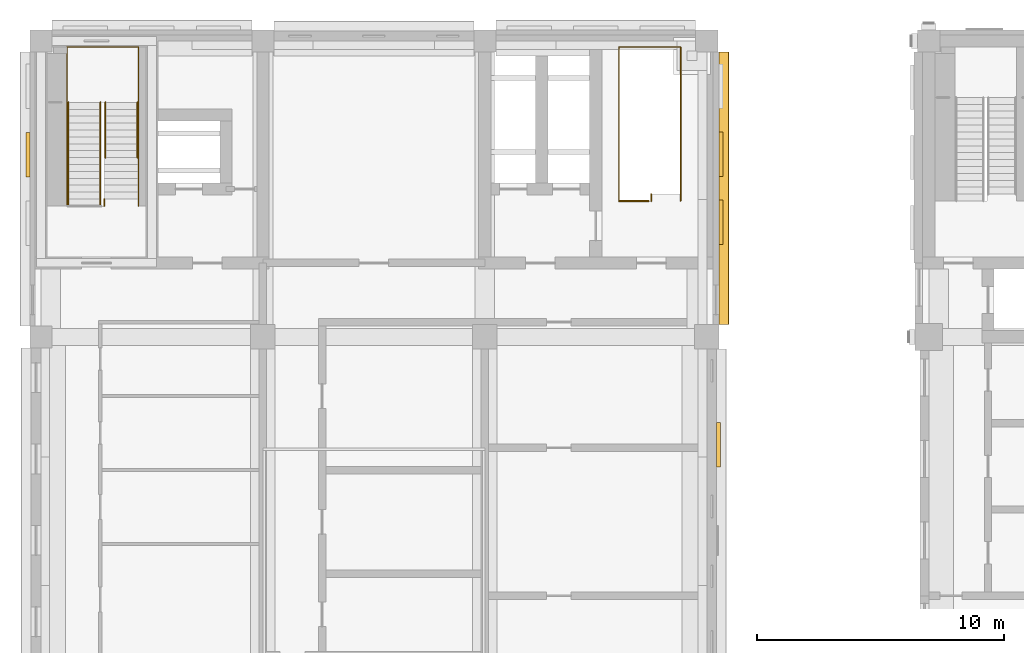
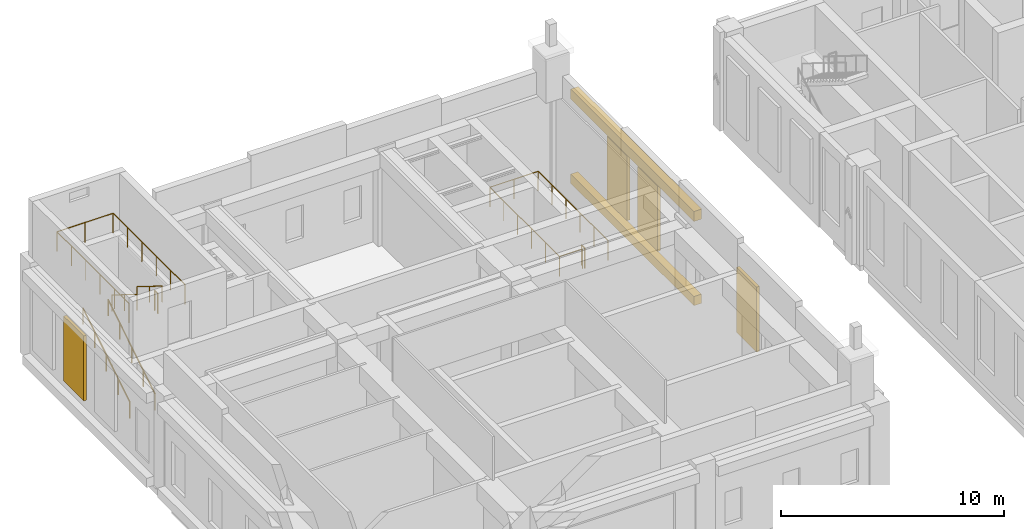
# One storey, part 30 of 37: 9 railings, 6 coverings.
"""IFC4 building model written with IfcOpenShell, lengths in metres."""

from ifc_helpers import new_model, si_unit, direction, frame, origin, origin_2d, place, context, subcontext, project, spatial, rectangle, circle, extrude, material, layer, layer_set, type_object, element, save


model = new_model("IFC4")

# Units and contexts
model_context = context("Model", 3, precision=1e-05, world=origin(), true_north=direction((0.0, 1.0)))
body_context = subcontext(model_context, "Body", "Model", "MODEL_VIEW")
ifc_project = project(units=[si_unit("LENGTHUNIT", "METRE"), si_unit("AREAUNIT", "SQUARE_METRE"), si_unit("VOLUMEUNIT", "CUBIC_METRE"), si_unit("PLANEANGLEUNIT", "RADIAN"), si_unit("MASSUNIT", "GRAM", prefix="KILO")], contexts=[model_context])

# Site, building, storey
site_placement = place(None, origin())
site = spatial("IfcSite", under=ifc_project, at=site_placement, CompositionType="ELEMENT")
building_placement = place(site_placement, origin())
building = spatial("IfcBuilding", under=site, at=building_placement, Name="Aurelan Courthouse", CompositionType="ELEMENT")
storey_placement = place(building_placement, frame((0.0, 0.0, 17.39990234375)))
storey = spatial("IfcBuildingStorey", under=building, at=storey_placement, Name="L03", CompositionType="ELEMENT", Elevation=17.39990234375)

# Coverings
ifc_material_1 = material(Name="Limestone cladding", Category="masonry")
covering_type_1 = type_object("IfcCoveringType", Name="Custody Suite cornice 550 x 400", PredefinedType="CLADDING", material=ifc_material_1)
covering_1_placement = place(storey_placement, frame((27.699951171875, 60.02490234375, 4.60009765625), z_axis=(0.0, 0.0, 1.0), x_axis=(1.0, 0.0, 0.0)))
element("IfcCovering", 1, at=covering_1_placement, inside=storey, type_object=covering_type_1, Name="Cornice CRN-V6-007", PredefinedType="CLADDING", context=body_context, shape_type="SweptSolid", body=[
    extrude(rectangle(XDim=0.39990234375, YDim=11.050048828125, at=origin_2d()), origin(), (0.0, 0.0, 1.0), 0.550048828125),
])
covering_type_2 = type_object("IfcCoveringType", Name="Custody Suite string course 500 x 380", PredefinedType="CLADDING", material=ifc_material_1)
covering_2_placement = place(storey_placement, frame((27.68994140625, 60.02490234375, 0.0), z_axis=(0.0, 0.0, 1.0), x_axis=(1.0, 0.0, 0.0)))
element("IfcCovering", 2, at=covering_2_placement, inside=storey, type_object=covering_type_2, Name="String course SC-V6-017", PredefinedType="CLADDING", context=body_context, shape_type="SweptSolid", body=[
    extrude(rectangle(XDim=0.3798828125, YDim=11.050048828125, at=origin_2d()), origin(), (0.0, 0.0, 1.0), 0.5),
])
ifc_material_2 = material(Name="Bronze sheet cladding")
ifc_layer = layer(ifc_material_2, 0.14990234375)
ifc_layer_set = layer_set([ifc_layer], Name="Bronze sheet cladding")
covering_type_3 = type_object("IfcCoveringType", Name="Relief panel 1800 x 3550 x 150", PredefinedType="CLADDING", material=ifc_layer_set)
for number, where, z_axis, x_axis, name in (
    (3, (27.47509765625, 49.625, 1.0), (0.0, 0.0, 1.0), (1.0, 0.0, 0.0), "Relief panel RP-V6-013"),
    (4, (-0.52490234375, 61.387451171875, 1.0), (0.0, 0.0, 1.0), (1.0, 0.0, 0.0), "Relief panel RP-V6-015"),
    (5, (27.574951171875, 58.643798828125, 1.0), (0.0, 0.0, 1.0), (1.0, 0.0, 0.0), "Relief panel RP-V6-017"),
    (6, (27.574951171875, 61.40625, 1.0), (0.0, 0.0, 1.0), (1.0, 0.0, 0.0), "Relief panel RP-V6-018"),
):
    element("IfcCovering", number, at=place(storey_placement, frame(where, z_axis=z_axis, x_axis=x_axis)), inside=storey, type_object=covering_type_3, Name=name, PredefinedType="CLADDING", context=body_context, shape_type="SweptSolid", body=[
        extrude(rectangle(XDim=0.14990234375, YDim=1.800048828125, at=origin_2d()), origin(), (0.0, 0.0, 1.0), 3.550048828125),
    ])

# Railings
ifc_material_3 = material(Name="Steel S355", Category="steel")
railing_type_1 = type_object("IfcRailingType", Name="Stair guard 1100", PredefinedType="GUARDRAIL", material=ifc_material_3)
railing_1_placement = place(storey_placement, frame((24.639892578125, 59.510009765625, 0.0)))
element("IfcRailing", 7, at=railing_1_placement, inside=storey, type_object=railing_type_1, Name="Guard CS-6-L03-G1", PredefinedType="GUARDRAIL", context=body_context, shape_type="SweptSolid", body=[
    extrude(circle(Radius=0.02392578125, at=origin_2d()), frame((0.0, 0.0, 1.076171875), z_axis=(-1.0, 0.0, 0.0), x_axis=(0.0, -1.0, 0.0)), (0.0, 0.0, 1.0), 1.199951171875),
    extrude(circle(Radius=0.02099609375, at=origin_2d()), origin(), (0.0, 0.0, 1.0), 1.052001953125),
    extrude(circle(Radius=0.02099609375, at=origin_2d()), frame((-1.199951171875, 0.0, 0.0)), (0.0, 0.0, 1.0), 1.052001953125),
])
railing_2_placement = place(storey_placement, frame((23.43994140625, 59.510009765625, 0.0)))
element("IfcRailing", 8, at=railing_2_placement, inside=storey, type_object=railing_type_1, Name="Guard CS-6-L03-G2", PredefinedType="GUARDRAIL", context=body_context, shape_type="SweptSolid", body=[
    extrude(circle(Radius=0.02392578125, at=origin_2d()), frame((0.0, 0.0, 1.076171875), z_axis=(0.0, 1.0, 0.0), x_axis=(-1.0, 0.0, 0.0)), (0.0, 0.0, 1.0), 6.239990234375),
    extrude(circle(Radius=0.02392578125, at=origin_2d()), frame((0.0, 6.239990234375, 1.076171875), z_axis=(1.0, 0.0, 0.0), x_axis=(0.0, 1.0, 0.0)), (0.0, 0.0, 1.0), 2.5),
    extrude(circle(Radius=0.02392578125, at=origin_2d()), frame((2.5, 6.239990234375, 1.076171875), z_axis=(0.0, -1.0, 0.0), x_axis=(1.0, 0.0, 0.0)), (0.0, 0.0, 1.0), 6.239990234375),
    extrude(circle(Radius=0.02099609375, at=origin_2d()), origin(), (0.0, 0.0, 1.0), 1.052001953125),
    extrude(circle(Radius=0.02099609375, at=origin_2d()), frame((0.0, 1.248046875, 0.0)), (0.0, 0.0, 1.0), 1.052001953125),
    extrude(circle(Radius=0.02099609375, at=origin_2d()), frame((0.0, 2.49609375, 0.0)), (0.0, 0.0, 1.0), 1.052001953125),
    extrude(circle(Radius=0.02099609375, at=origin_2d()), frame((0.0, 3.743896484375, 0.0)), (0.0, 0.0, 1.0), 1.052001953125),
    extrude(circle(Radius=0.02099609375, at=origin_2d()), frame((0.0, 4.991943359375, 0.0)), (0.0, 0.0, 1.0), 1.052001953125),
    extrude(circle(Radius=0.02099609375, at=origin_2d()), frame((0.0, 6.239990234375, 0.0)), (0.0, 0.0, 1.0), 1.052001953125),
    extrude(circle(Radius=0.02099609375, at=origin_2d()), frame((1.25, 6.239990234375, 0.0)), (0.0, 0.0, 1.0), 1.052001953125),
    extrude(circle(Radius=0.02099609375, at=origin_2d()), frame((2.5, 6.239990234375, 0.0)), (0.0, 0.0, 1.0), 1.052001953125),
    extrude(circle(Radius=0.02099609375, at=origin_2d()), frame((2.5, 4.991943359375, 0.0)), (0.0, 0.0, 1.0), 1.052001953125),
    extrude(circle(Radius=0.02099609375, at=origin_2d()), frame((2.5, 3.743896484375, 0.0)), (0.0, 0.0, 1.0), 1.052001953125),
    extrude(circle(Radius=0.02099609375, at=origin_2d()), frame((2.5, 2.49609375, 0.0)), (0.0, 0.0, 1.0), 1.052001953125),
    extrude(circle(Radius=0.02099609375, at=origin_2d()), frame((2.5, 1.248046875, 0.0)), (0.0, 0.0, 1.0), 1.052001953125),
    extrude(circle(Radius=0.02099609375, at=origin_2d()), frame((2.5, 0.0, 0.0)), (0.0, 0.0, 1.0), 1.052001953125),
])
railing_3_placement = place(storey_placement, frame((24.739990234375, 59.510009765625, 0.0)))
element("IfcRailing", 9, at=railing_3_placement, inside=storey, type_object=railing_type_1, Name="Guard CS-6-L03-G3", PredefinedType="GUARDRAIL", context=body_context, shape_type="SweptSolid", body=[
    extrude(circle(Radius=0.02392578125, at=origin_2d()), frame((0.0, 0.0, 1.076171875), z_axis=(0.0, 1.0, 0.0), x_axis=(-1.0, 0.0, 0.0)), (0.0, 0.0, 1.0), 0.280029296875),
    extrude(circle(Radius=0.02099609375, at=origin_2d()), origin(), (0.0, 0.0, 1.0), 1.052001953125),
    extrude(circle(Radius=0.02099609375, at=origin_2d()), frame((0.0, 0.280029296875, 0.0)), (0.0, 0.0, 1.0), 1.052001953125),
])
railing_4_placement = place(storey_placement, frame((1.06005859375, 59.31005859375, 5.400146484375)))
element("IfcRailing", 10, at=railing_4_placement, inside=storey, type_object=railing_type_1, Name="Guard ST-6-L03-G2", PredefinedType="GUARDRAIL", context=body_context, shape_type="SweptSolid", body=[
    extrude(circle(Radius=0.02392578125, at=origin_2d()), frame((0.0, 0.0, 1.076171875), z_axis=(0.0, 1.0, 0.0), x_axis=(-1.0, 0.0, 0.0)), (0.0, 0.0, 1.0), 6.43994140625),
    extrude(circle(Radius=0.02392578125, at=origin_2d()), frame((0.0, 6.43994140625, 1.076171875), z_axis=(1.0, 0.0, 0.0), x_axis=(0.0, 1.0, 0.0)), (0.0, 0.0, 1.0), 2.89990234375),
    extrude(circle(Radius=0.02392578125, at=origin_2d()), frame((2.89990234375, 6.43994140625, 1.076171875), z_axis=(0.0, -1.0, 0.0), x_axis=(1.0, 0.0, 0.0)), (0.0, 0.0, 1.0), 6.43994140625),
    extrude(circle(Radius=0.02099609375, at=origin_2d()), origin(), (0.0, 0.0, 1.0), 1.052001953125),
    extrude(circle(Radius=0.02099609375, at=origin_2d()), frame((0.0, 1.2880859375, 0.0)), (0.0, 0.0, 1.0), 1.052001953125),
    extrude(circle(Radius=0.02099609375, at=origin_2d()), frame((0.0, 2.575927734375, 0.0)), (0.0, 0.0, 1.0), 1.052001953125),
    extrude(circle(Radius=0.02099609375, at=origin_2d()), frame((0.0, 3.864013671875, 0.0)), (0.0, 0.0, 1.0), 1.052001953125),
    extrude(circle(Radius=0.02099609375, at=origin_2d()), frame((0.0, 5.15185546875, 0.0)), (0.0, 0.0, 1.0), 1.052001953125),
    extrude(circle(Radius=0.02099609375, at=origin_2d()), frame((0.0, 6.43994140625, 0.0)), (0.0, 0.0, 1.0), 1.052001953125),
    extrude(circle(Radius=0.02099609375, at=origin_2d()), frame((1.449951171875, 6.43994140625, 0.0)), (0.0, 0.0, 1.0), 1.052001953125),
    extrude(circle(Radius=0.02099609375, at=origin_2d()), frame((2.89990234375, 6.43994140625, 0.0)), (0.0, 0.0, 1.0), 1.052001953125),
    extrude(circle(Radius=0.02099609375, at=origin_2d()), frame((2.89990234375, 5.15185546875, 0.0)), (0.0, 0.0, 1.0), 1.052001953125),
    extrude(circle(Radius=0.02099609375, at=origin_2d()), frame((2.89990234375, 3.864013671875, 0.0)), (0.0, 0.0, 1.0), 1.052001953125),
    extrude(circle(Radius=0.02099609375, at=origin_2d()), frame((2.89990234375, 2.575927734375, 0.0)), (0.0, 0.0, 1.0), 1.052001953125),
    extrude(circle(Radius=0.02099609375, at=origin_2d()), frame((2.89990234375, 1.2880859375, 0.0)), (0.0, 0.0, 1.0), 1.052001953125),
    extrude(circle(Radius=0.02099609375, at=origin_2d()), frame((2.89990234375, 0.0, 0.0)), (0.0, 0.0, 1.0), 1.052001953125),
])
railing_5_placement = place(storey_placement, frame((2.56005859375, 59.31005859375, 5.400146484375)))
element("IfcRailing", 11, at=railing_5_placement, inside=storey, type_object=railing_type_1, Name="Guard ST-6-L03-G3", PredefinedType="GUARDRAIL", context=body_context, shape_type="SweptSolid", body=[
    extrude(circle(Radius=0.02392578125, at=origin_2d()), frame((0.0, 0.0, 1.076171875), z_axis=(0.0, 1.0, 0.0), x_axis=(-1.0, 0.0, 0.0)), (0.0, 0.0, 1.0), 0.280029296875),
    extrude(circle(Radius=0.02099609375, at=origin_2d()), origin(), (0.0, 0.0, 1.0), 1.052001953125),
    extrude(circle(Radius=0.02099609375, at=origin_2d()), frame((0.0, 0.280029296875, 0.0)), (0.0, 0.0, 1.0), 1.052001953125),
])
railing_type_2 = type_object("IfcRailingType", Name="Stair handrail 900", PredefinedType="HANDRAIL", material=ifc_material_3)
for number, where, name in (
    (12, (1.110107421875, 59.31005859375, 0.17431640625), "Handrail ST-6-L03-H1"),
    (13, (2.409912109375, 59.31005859375, 0.17431640625), "Handrail ST-6-L03-H2"),
):
    element("IfcRailing", number, at=place(storey_placement, frame(where)), inside=storey, type_object=railing_type_2, Name=name, PredefinedType="HANDRAIL", context=body_context, shape_type="SweptSolid", body=[
        extrude(circle(Radius=0.02392578125, at=origin_2d()), frame((0.0, 0.0, 0.8759765625), z_axis=(0.0, 0.849102848233, 0.528227558088), x_axis=(-1.0, 0.0, 0.0)), (0.0, 0.0, 1.0), 4.9462890625),
        extrude(circle(Radius=0.02099609375, at=origin_2d()), origin(), (0.0, 0.0, 1.0), 0.851806640625),
        extrude(circle(Radius=0.02099609375, at=origin_2d()), frame((0.0, 1.050048828125, 0.6533203125)), (0.0, 0.0, 1.0), 0.851806640625),
        extrude(circle(Radius=0.02099609375, at=origin_2d()), frame((0.0, 2.10009765625, 1.306396484375)), (0.0, 0.0, 1.0), 0.851806640625),
        extrude(circle(Radius=0.02099609375, at=origin_2d()), frame((0.0, 3.14990234375, 1.95947265625)), (0.0, 0.0, 1.0), 0.851806640625),
        extrude(circle(Radius=0.02099609375, at=origin_2d()), frame((0.0, 4.199951171875, 2.61279296875)), (0.0, 0.0, 1.0), 0.851806640625),
    ])
for number, where, name in (
    (14, (2.610107421875, 63.510009765625, 2.96142578125), "Handrail ST-6-L03-H3"),
    (15, (3.909912109375, 63.510009765625, 2.96142578125), "Handrail ST-6-L03-H4"),
):
    element("IfcRailing", number, at=place(storey_placement, frame(where)), inside=storey, type_object=railing_type_2, Name=name, PredefinedType="HANDRAIL", context=body_context, shape_type="SweptSolid", body=[
        extrude(circle(Radius=0.02392578125, at=origin_2d()), frame((0.0, 0.0, 0.8759765625), z_axis=(0.0, -0.849093500799, 0.528242583385), x_axis=(1.0, 0.0, 0.0)), (0.0, 0.0, 1.0), 2.63818359375),
        extrude(circle(Radius=0.02099609375, at=origin_2d()), origin(), (0.0, 0.0, 1.0), 0.851806640625),
        extrude(circle(Radius=0.02099609375, at=origin_2d()), frame((0.0, -1.1201171875, 0.69677734375)), (0.0, 0.0, 1.0), 0.851806640625),
        extrude(circle(Radius=0.02099609375, at=origin_2d()), frame((0.0, -2.239990234375, 1.3935546875)), (0.0, 0.0, 1.0), 0.851806640625),
    ])

save(model, "model.ifc")
